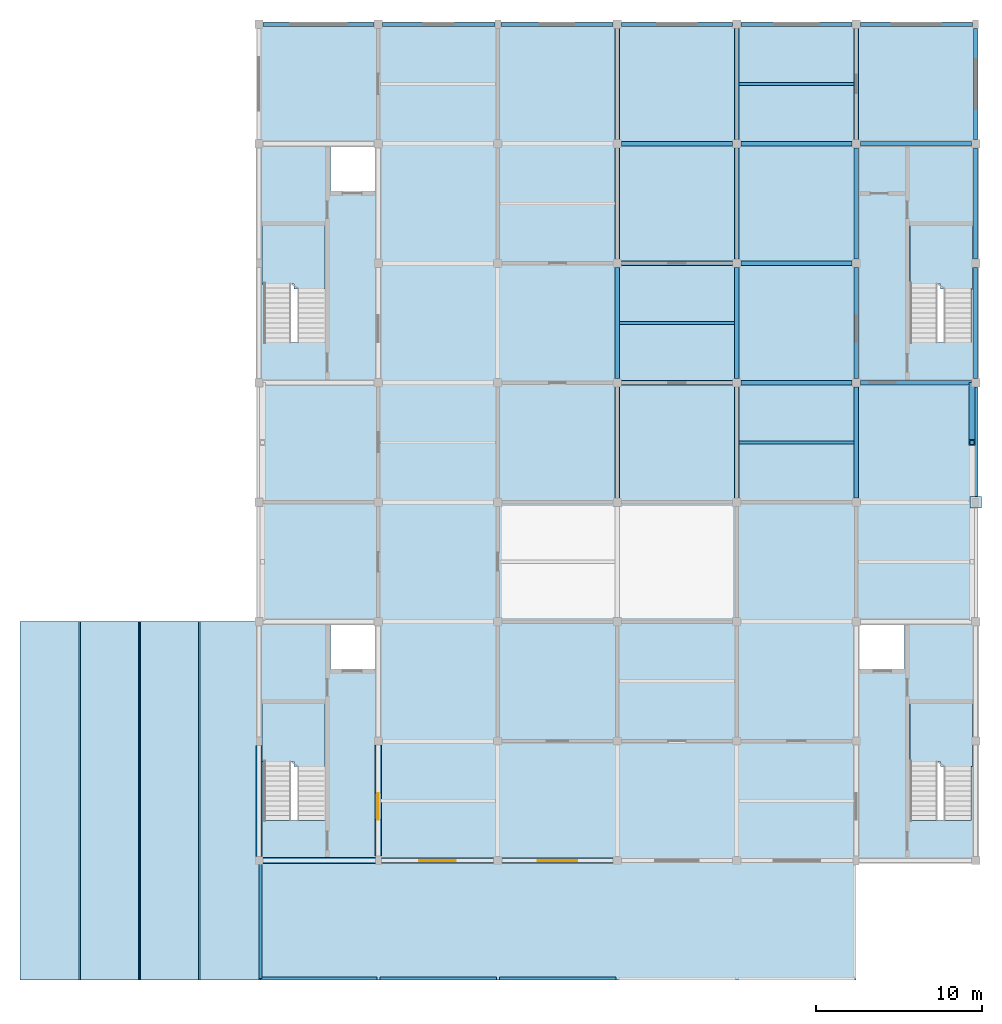
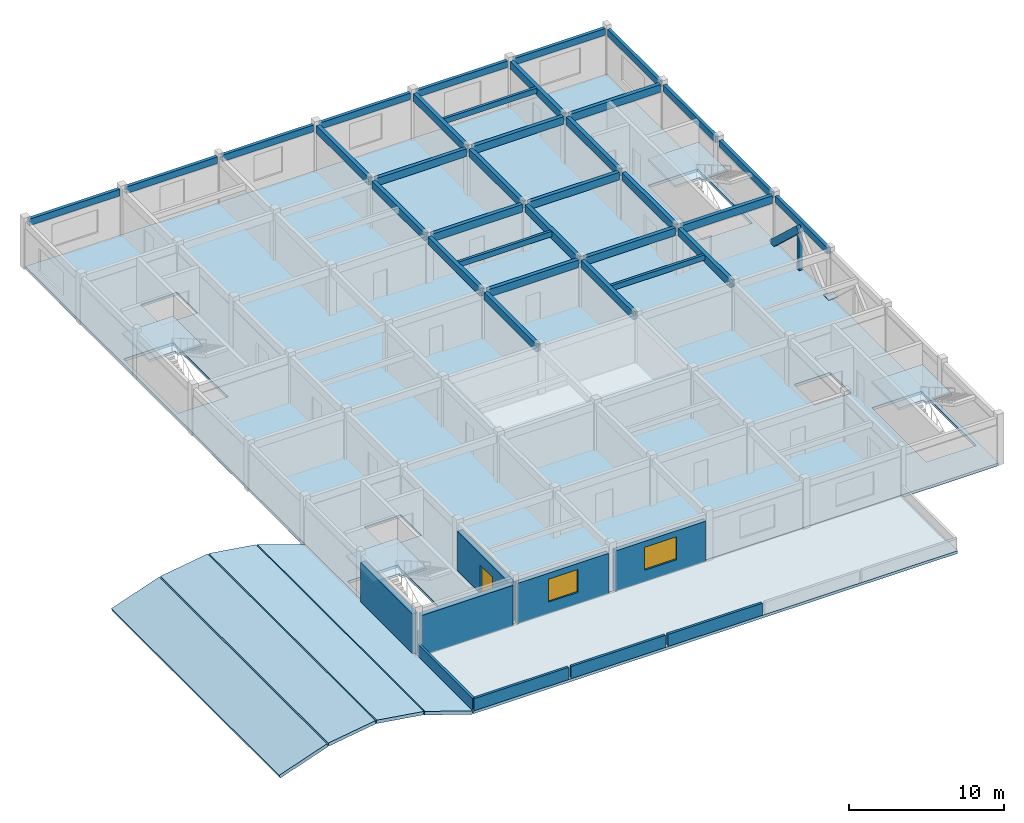
# One storey, part 2 of 6: 33 beams, 10 slabs, 9 walls, 2 members, 2 windows, 1 door, 1 plate, 3 openings, 4 elements without a shape of their own.
"""IFC4 building model written with IfcOpenShell, lengths in metres."""

from ifc_helpers import new_model, si_unit, direction, frame, frame_2d, origin, origin_2d, place, context, subcontext, project, spatial, polyline, rectangle, outline, extrude, material, layer, layer_set, material_profile, profile_set, type_object, element, fill, aggregate, save


model = new_model("IFC4")

# Units and contexts
model_context = context("Model", 3, precision=1e-05, world=origin(), true_north=direction((0.0, 1.0)))
body_context = subcontext(model_context, "Body", "Model", "MODEL_VIEW")
ifc_project = project(units=[si_unit("LENGTHUNIT", "METRE"), si_unit("AREAUNIT", "SQUARE_METRE"), si_unit("VOLUMEUNIT", "CUBIC_METRE"), si_unit("PLANEANGLEUNIT", "RADIAN"), si_unit("MASSUNIT", "GRAM", prefix="KILO")], contexts=[model_context])

# Site, building, storey
site_placement = place(None, origin())
site = spatial("IfcSite", under=ifc_project, at=site_placement, CompositionType="ELEMENT")
building_placement = place(site_placement, origin())
building = spatial("IfcBuilding", under=site, at=building_placement, Name="Cendaluz Park School", CompositionType="ELEMENT")
storey_placement = place(building_placement, frame((0.0, 0.0, 55.0)))
storey = spatial("IfcBuildingStorey", under=building, at=storey_placement, Name="L13", CompositionType="ELEMENT", Elevation=55.0)

# Beams
ifc_material_1 = material(Name="Glulam GL28h", Category="wood")
ifc_material_profile_1 = material_profile(ifc_material_1, rectangle(XDim=0.280029296875, YDim=0.60009765625, at=origin_2d()), Name="GL28h 280x600", Category="wood")
ifc_profile_set_1 = profile_set([ifc_material_profile_1], Name="Glulam GL28h")
beam_type_1 = type_object("IfcBeamType", Name="BM-GL02", PredefinedType="BEAM", material=ifc_profile_set_1)
for number, where, z_axis, x_axis, name in (
    (1, (86.64990234375, 43.199951171875, 3.389892578125), (1.0, 0.0, 0.0), (0.0, 1.0, 0.0), "BM-L13-BMGL02-0027"),
    (2, (86.64990234375, 50.39990234375, 3.389892578125), (1.0, 0.0, 0.0), (0.0, 1.0, 0.0), "BM-L13-BMGL02-0028"),
    (3, (86.64990234375, 57.60009765625, 3.389892578125), (1.0, 0.0, 0.0), (0.0, 1.0, 0.0), "BM-L13-BMGL02-0029"),
):
    element("IfcBeam", number, at=place(storey_placement, frame(where, z_axis=z_axis, x_axis=x_axis)), inside=storey, type_object=beam_type_1, Name=name, PredefinedType="BEAM", context=body_context, shape_type="SweptSolid", body=[
        extrude(rectangle(XDim=0.280029296875, YDim=0.60009765625, at=origin_2d()), origin(), (0.0, 0.0, 1.0), 6.7001953125),
    ])
for number, where, z_axis, x_axis, name in (
    (4, (93.85009765625, 43.199951171875, 3.389892578125), (1.0, 0.0, 0.0), (0.0, 1.0, 0.0), "BM-L13-BMGL02-0035"),
    (5, (93.85009765625, 50.39990234375, 3.389892578125), (1.0, 0.0, 0.0), (0.0, 1.0, 0.0), "BM-L13-BMGL02-0036"),
    (6, (93.85009765625, 57.60009765625, 3.389892578125), (1.0, 0.0, 0.0), (0.0, 1.0, 0.0), "BM-L13-BMGL02-0037"),
    (7, (101.050048828125, 43.199951171875, 3.389892578125), (1.0, 0.0, 0.0), (0.0, 1.0, 0.0), "BM-L13-BMGL02-0042"),
    (8, (101.050048828125, 57.60009765625, 3.389892578125), (1.0, 0.0, 0.0), (0.0, 1.0, 0.0), "BM-L13-BMGL02-0043"),
    (9, (86.39990234375, 36.25, 3.389892578125), (0.0, 1.0, 0.0), (-1.0, 0.0, 0.0), "BM-L13-BMGL02-0069"),
    (10, (86.39990234375, 43.449951171875, 3.389892578125), (0.0, 1.0, 0.0), (-1.0, 0.0, 0.0), "BM-L13-BMGL02-0070"),
):
    element("IfcBeam", number, at=place(storey_placement, frame(where, z_axis=z_axis, x_axis=x_axis)), inside=storey, type_object=beam_type_1, Name=name, PredefinedType="BEAM", context=body_context, shape_type="SweptSolid", body=[
        extrude(rectangle(XDim=0.280029296875, YDim=0.60009765625, at=origin_2d()), origin(), (0.0, 0.0, 1.0), 6.699951171875),
    ])
beam_1_placement = place(storey_placement, frame((86.39990234375, 50.64990234375, 3.389892578125), z_axis=(0.0, 1.0, 0.0), x_axis=(-1.0, 0.0, 0.0)))
element("IfcBeam", 11, at=beam_1_placement, inside=storey, type_object=beam_type_1, Name="BM-L13-BMGL02-0071", PredefinedType="BEAM", context=body_context, shape_type="SweptSolid", body=[
    extrude(rectangle(XDim=0.280029296875, YDim=0.60009765625, at=origin_2d()), origin(), (0.0, 0.0, 1.0), 6.7001953125),
])
for number, where, z_axis, x_axis, name in (
    (12, (86.39990234375, 57.85009765625, 3.389892578125), (0.0, 1.0, 0.0), (-1.0, 0.0, 0.0), "BM-L13-BMGL02-0072"),
    (13, (93.60009765625, 36.25, 3.389892578125), (0.0, 1.0, 0.0), (-1.0, 0.0, 0.0), "BM-L13-BMGL02-0076"),
    (14, (93.60009765625, 43.449951171875, 3.389892578125), (0.0, 1.0, 0.0), (-1.0, 0.0, 0.0), "BM-L13-BMGL02-0077"),
):
    element("IfcBeam", number, at=place(storey_placement, frame(where, z_axis=z_axis, x_axis=x_axis)), inside=storey, type_object=beam_type_1, Name=name, PredefinedType="BEAM", context=body_context, shape_type="SweptSolid", body=[
        extrude(rectangle(XDim=0.280029296875, YDim=0.60009765625, at=origin_2d()), origin(), (0.0, 0.0, 1.0), 6.699951171875),
    ])
beam_2_placement = place(storey_placement, frame((93.60009765625, 50.64990234375, 3.389892578125), z_axis=(0.0, 1.0, 0.0), x_axis=(-1.0, 0.0, 0.0)))
element("IfcBeam", 15, at=beam_2_placement, inside=storey, type_object=beam_type_1, Name="BM-L13-BMGL02-0078", PredefinedType="BEAM", context=body_context, shape_type="SweptSolid", body=[
    extrude(rectangle(XDim=0.280029296875, YDim=0.60009765625, at=origin_2d()), origin(), (0.0, 0.0, 1.0), 6.7001953125),
])
for number, where, z_axis, x_axis, name in (
    (16, (93.60009765625, 57.85009765625, 3.389892578125), (0.0, 1.0, 0.0), (-1.0, 0.0, 0.0), "BM-L13-BMGL02-0079"),
    (17, (100.800048828125, 36.25, 3.389892578125), (0.0, 1.0, 0.0), (-1.0, 0.0, 0.0), "BM-L13-BMGL02-0083"),
    (18, (100.800048828125, 43.449951171875, 3.389892578125), (0.0, 1.0, 0.0), (-1.0, 0.0, 0.0), "BM-L13-BMGL02-0084"),
):
    element("IfcBeam", number, at=place(storey_placement, frame(where, z_axis=z_axis, x_axis=x_axis)), inside=storey, type_object=beam_type_1, Name=name, PredefinedType="BEAM", context=body_context, shape_type="SweptSolid", body=[
        extrude(rectangle(XDim=0.280029296875, YDim=0.60009765625, at=origin_2d()), origin(), (0.0, 0.0, 1.0), 6.699951171875),
    ])
beam_3_placement = place(storey_placement, frame((100.800048828125, 50.64990234375, 3.389892578125), z_axis=(0.0, 1.0, 0.0), x_axis=(-1.0, 0.0, 0.0)))
element("IfcBeam", 19, at=beam_3_placement, inside=storey, type_object=beam_type_1, Name="BM-L13-BMGL02-0085", PredefinedType="BEAM", context=body_context, shape_type="SweptSolid", body=[
    extrude(rectangle(XDim=0.280029296875, YDim=0.60009765625, at=origin_2d()), origin(), (0.0, 0.0, 1.0), 6.7001953125),
])
beam_4_placement = place(storey_placement, frame((100.800048828125, 57.85009765625, 3.389892578125), z_axis=(0.0, 1.0, 0.0), x_axis=(-1.0, 0.0, 0.0)))
element("IfcBeam", 20, at=beam_4_placement, inside=storey, type_object=beam_type_1, Name="BM-L13-BMGL02-0086", PredefinedType="BEAM", context=body_context, shape_type="SweptSolid", body=[
    extrude(rectangle(XDim=0.280029296875, YDim=0.60009765625, at=origin_2d()), origin(), (0.0, 0.0, 1.0), 6.699951171875),
])
ifc_material_profile_2 = material_profile(ifc_material_1, rectangle(XDim=0.239990234375, YDim=0.52001953125, at=origin_2d()), Name="GL28h 240x520", Category="wood")
ifc_profile_set_2 = profile_set([ifc_material_profile_2], Name="Glulam GL28h")
beam_type_2 = type_object("IfcBeamType", Name="BM-GL03", PredefinedType="SPANDREL", material=ifc_profile_set_2)
beam_5_placement = place(storey_placement, frame((65.050048828125, 64.800048828125, 3.429931640625), z_axis=(1.0, 0.0, 0.0), x_axis=(0.0, 1.0, 0.0)))
element("IfcBeam", 21, at=beam_5_placement, inside=storey, type_object=beam_type_2, Name="BM-L13-BMGL03-0006", PredefinedType="SPANDREL", context=body_context, shape_type="SweptSolid", body=[
    extrude(rectangle(XDim=0.239990234375, YDim=0.52001953125, at=origin_2d()), origin(), (0.0, 0.0, 1.0), 6.699951171875),
])
for number, where, z_axis, x_axis, name in (
    (22, (72.25, 64.800048828125, 3.429931640625), (1.0, 0.0, 0.0), (0.0, 1.0, 0.0), "BM-L13-BMGL03-0014"),
    (23, (79.3798828125, 64.800048828125, 3.429931640625), (1.0, 0.0, 0.0), (0.0, 1.0, 0.0), "BM-L13-BMGL03-0022"),
):
    element("IfcBeam", number, at=place(storey_placement, frame(where, z_axis=z_axis, x_axis=x_axis)), inside=storey, type_object=beam_type_2, Name=name, PredefinedType="SPANDREL", context=body_context, shape_type="SweptSolid", body=[
        extrude(rectangle(XDim=0.239990234375, YDim=0.52001953125, at=origin_2d()), origin(), (0.0, 0.0, 1.0), 6.77001953125),
    ])
beam_6_placement = place(storey_placement, frame((86.64990234375, 64.800048828125, 3.429931640625), z_axis=(1.0, 0.0, 0.0), x_axis=(0.0, 1.0, 0.0)))
element("IfcBeam", 24, at=beam_6_placement, inside=storey, type_object=beam_type_2, Name="BM-L13-BMGL03-0030", PredefinedType="SPANDREL", context=body_context, shape_type="SweptSolid", body=[
    extrude(rectangle(XDim=0.239990234375, YDim=0.52001953125, at=origin_2d()), origin(), (0.0, 0.0, 1.0), 6.7001953125),
])
beam_7_placement = place(storey_placement, frame((93.85009765625, 64.800048828125, 3.429931640625), z_axis=(1.0, 0.0, 0.0), x_axis=(0.0, 1.0, 0.0)))
element("IfcBeam", 25, at=beam_7_placement, inside=storey, type_object=beam_type_2, Name="BM-L13-BMGL03-0038", PredefinedType="SPANDREL", context=body_context, shape_type="SweptSolid", body=[
    extrude(rectangle(XDim=0.239990234375, YDim=0.52001953125, at=origin_2d()), origin(), (0.0, 0.0, 1.0), 6.699951171875),
])
beam_8_placement = place(storey_placement, frame((101.050048828125, 64.800048828125, 3.429931640625), z_axis=(1.0, 0.0, 0.0), x_axis=(0.0, 1.0, 0.0)))
element("IfcBeam", 26, at=beam_8_placement, inside=storey, type_object=beam_type_2, Name="BM-L13-BMGL03-0044", PredefinedType="SPANDREL", context=body_context, shape_type="SweptSolid", body=[
    extrude(rectangle(XDim=0.239990234375, YDim=0.52001953125, at=origin_2d()), origin(), (0.0, 0.0, 1.0), 6.77001953125),
])
beam_9_placement = place(storey_placement, frame((108.0, 36.260009765625, 3.429931640625), z_axis=(0.0, 1.0, 0.0), x_axis=(-1.0, 0.0, 0.0)))
element("IfcBeam", 27, at=beam_9_placement, inside=storey, type_object=beam_type_2, Name="BM-L13-BMGL03-0090", PredefinedType="SPANDREL", context=body_context, shape_type="SweptSolid", body=[
    extrude(rectangle(XDim=0.239990234375, YDim=0.52001953125, at=origin_2d()), origin(), (0.0, 0.0, 1.0), 6.68994140625),
])
beam_10_placement = place(storey_placement, frame((108.0, 43.449951171875, 3.429931640625), z_axis=(0.0, 1.0, 0.0), x_axis=(-1.0, 0.0, 0.0)))
element("IfcBeam", 28, at=beam_10_placement, inside=storey, type_object=beam_type_2, Name="BM-L13-BMGL03-0091", PredefinedType="SPANDREL", context=body_context, shape_type="SweptSolid", body=[
    extrude(rectangle(XDim=0.239990234375, YDim=0.52001953125, at=origin_2d()), origin(), (0.0, 0.0, 1.0), 6.699951171875),
])
beam_11_placement = place(storey_placement, frame((108.0, 50.64990234375, 3.429931640625), z_axis=(0.0, 1.0, 0.0), x_axis=(-1.0, 0.0, 0.0)))
element("IfcBeam", 29, at=beam_11_placement, inside=storey, type_object=beam_type_2, Name="BM-L13-BMGL03-0092", PredefinedType="SPANDREL", context=body_context, shape_type="SweptSolid", body=[
    extrude(rectangle(XDim=0.239990234375, YDim=0.52001953125, at=origin_2d()), origin(), (0.0, 0.0, 1.0), 6.7001953125),
])
beam_12_placement = place(storey_placement, frame((108.0, 57.85009765625, 3.429931640625), z_axis=(0.0, 1.0, 0.0), x_axis=(-1.0, 0.0, 0.0)))
element("IfcBeam", 30, at=beam_12_placement, inside=storey, type_object=beam_type_2, Name="BM-L13-BMGL03-0093", PredefinedType="SPANDREL", context=body_context, shape_type="SweptSolid", body=[
    extrude(rectangle(XDim=0.239990234375, YDim=0.52001953125, at=origin_2d()), origin(), (0.0, 0.0, 1.0), 6.68994140625),
])
ifc_material_profile_3 = material_profile(ifc_material_1, rectangle(XDim=0.199951171875, YDim=0.419921875, at=origin_2d()), Name="GL28h 200x420", Category="wood")
ifc_profile_set_3 = profile_set([ifc_material_profile_3], Name="Glulam GL28h")
beam_type_3 = type_object("IfcBeamType", Name="JT-GL02", PredefinedType="JOIST", material=ifc_profile_set_3)
for number, where, z_axis, x_axis, name in (
    (31, (86.5400390625, 46.800048828125, 3.47998046875), (1.0, 0.0, 0.0), (0.0, 1.0, 0.0), "BM-L13-JTGL02-0100"),
    (32, (93.739990234375, 39.60009765625, 3.47998046875), (1.0, 0.0, 0.0), (0.0, 1.0, 0.0), "BM-L13-JTGL02-0102"),
    (33, (93.739990234375, 61.199951171875, 3.47998046875), (1.0, 0.0, 0.0), (0.0, 1.0, 0.0), "BM-L13-JTGL02-0103"),
):
    element("IfcBeam", number, at=place(storey_placement, frame(where, z_axis=z_axis, x_axis=x_axis)), inside=storey, type_object=beam_type_3, Name=name, PredefinedType="JOIST", context=body_context, shape_type="SweptSolid", body=[
        extrude(rectangle(XDim=0.199951171875, YDim=0.419921875, at=origin_2d()), origin(), (0.0, 0.0, 1.0), 6.919921875),
    ])

# Members
ifc_material_2 = material(Name="Glulam GL32h", Category="wood")
ifc_material_profile_4 = material_profile(ifc_material_2, rectangle(XDim=0.360107421875, YDim=0.52001953125, at=origin_2d()), Name="GL32h 360x520", Category="wood")
ifc_profile_set_4 = profile_set([ifc_material_profile_4], Name="Glulam GL32h")
member_type_1 = type_object("IfcMemberType", Name="MBR-04", PredefinedType="BRACE", material=ifc_profile_set_4)
member_1_placement = place(storey_placement, frame((107.780029296875, 43.02001953125, 0.0), z_axis=(0.0, -0.731267023111, 0.682091299541), x_axis=(1.0, 0.0, 0.0)))
element("IfcMember", 34, at=member_1_placement, inside=storey, type_object=member_type_1, Name="MB-L13-MBBR04-0011", PredefinedType="BRACE", context=body_context, shape_type="SweptSolid", body=[
    extrude(rectangle(XDim=0.360107421875, YDim=0.52001953125, at=origin_2d()), origin(), (0.0, 0.0, 1.0), 4.6767578125),
])
ifc_material_profile_5 = material_profile(ifc_material_2, rectangle(XDim=0.260009765625, YDim=0.260009765625, at=origin_2d()), Name="GL32h 260x260", Category="wood")
ifc_profile_set_5 = profile_set([ifc_material_profile_5], Name="Glulam GL32h")
member_type_2 = type_object("IfcMemberType", Name="MST-03", PredefinedType="STRUT", material=ifc_profile_set_5)
member_2_placement = place(storey_placement, frame((107.780029296875, 39.60009765625, 0.0), z_axis=(0.0, 0.0, 1.0), x_axis=(1.0, 0.0, 0.0)))
element("IfcMember", 35, at=member_2_placement, inside=storey, type_object=member_type_2, Name="MB-L13-MBST03-0012", PredefinedType="STRUT", context=body_context, shape_type="SweptSolid", body=[
    extrude(rectangle(XDim=0.260009765625, YDim=0.260009765625, at=origin_2d()), origin(), (0.0, 0.0, 1.0), 3.18994140625),
])

# Plate
ifc_material_3 = material(Name="Steel S355", Category="steel")
ifc_layer_1 = layer(ifc_material_3, 0.030029296875)
ifc_layer_set_1 = layer_set([ifc_layer_1], Name="Steel S355")
plate_type = type_object("IfcPlateType", Name="GP-02", PredefinedType="SHEET", material=ifc_layer_set_1)
plate_placement = place(storey_placement, frame((108.0, 36.0, 0.0), z_axis=(0.0, 0.0, 1.0), x_axis=(1.0, 0.0, 0.0)))
element("IfcPlate", 36, at=plate_placement, inside=storey, type_object=plate_type, Name="GP-L13-BF01", PredefinedType="SHEET", context=body_context, shape_type="SweptSolid", body=[
    extrude(rectangle(XDim=0.699951171875, YDim=0.699951171875, at=origin_2d()), origin(), (0.0, 0.0, 1.0), 0.030029296875),
])

# Slab
ifc_material_4 = material(Name="Cross-laminated timber CLT C24", Category="wood")
ifc_layer_2 = layer(ifc_material_4, 0.219970703125)
ifc_layer_set_2 = layer_set([ifc_layer_2], Name="Cross-laminated timber CLT C24")
slab_type_1 = type_object("IfcSlabType", Name="SL-FL-220", PredefinedType="FLOOR", material=ifc_layer_set_2)
slab_1_placement = place(storey_placement, frame((0.0, 0.0, -0.219970703125)))
element("IfcSlab", 37, at=slab_1_placement, inside=storey, type_object=slab_type_1, Name="SL-L13-01", PredefinedType="FLOOR", context=body_context, shape_type="SweptSolid", body=[
    extrude(outline(polyline([(108.0, 64.800048828125), (108.0, 14.39990234375), (64.800048828125, 14.39990234375), (64.800048828125, 64.800048828125), (108.0, 64.800048828125)]), holes=[polyline([(65.080078125, 16.820068359375), (68.77001953125, 16.820068359375), (68.77001953125, 23.840087890625), (65.080078125, 23.840087890625), (65.080078125, 16.820068359375)]), polyline([(69.10009765625, 28.60009765625), (69.10009765625, 25.93994140625), (71.800048828125, 25.93994140625), (71.800048828125, 28.60009765625), (69.10009765625, 28.60009765625)]), polyline([(107.719970703125, 23.840087890625), (104.030029296875, 23.840087890625), (104.030029296875, 16.820068359375), (107.719970703125, 16.820068359375), (107.719970703125, 23.840087890625)]), polyline([(103.699951171875, 25.93994140625), (103.699951171875, 28.60009765625), (101.0, 28.60009765625), (101.0, 25.93994140625), (103.699951171875, 25.93994140625)]), polyline([(65.080078125, 45.6201171875), (68.77001953125, 45.6201171875), (68.77001953125, 52.639892578125), (65.080078125, 52.639892578125), (65.080078125, 45.6201171875)]), polyline([(69.10009765625, 57.39990234375), (69.10009765625, 54.739990234375), (71.800048828125, 54.739990234375), (71.800048828125, 57.39990234375), (69.10009765625, 57.39990234375)]), polyline([(107.719970703125, 52.639892578125), (104.030029296875, 52.639892578125), (104.030029296875, 45.6201171875), (107.719970703125, 45.6201171875), (107.719970703125, 52.639892578125)])]), origin(), (0.0, 0.0, 1.0), 0.219970703125),
])

# Stair, slab
stair_type = type_object("IfcStairType", Name="ST-400-165", PredefinedType="HALF_TURN_STAIR", material=ifc_material_4)
stair_1_placement = place(storey_placement, origin())
stair_1 = element("IfcStair", 38, at=stair_1_placement, inside=storey, type_object=stair_type, Name="ST-L13-C1", PredefinedType="HALF_TURN_STAIR")
ifc_layer_3 = layer(ifc_material_4, 0.179931640625)
ifc_layer_set_3 = layer_set([ifc_layer_3], Name="Cross-laminated timber CLT C24")
slab_type_2 = type_object("IfcSlabType", Name="SL-LD-180", PredefinedType="LANDING", material=ifc_layer_set_3)
slab_2_placement = place(storey_placement, frame((0.0, 0.0, 1.89990234375)))
slab_2 = element("IfcSlab", 39, at=slab_2_placement, type_object=slab_type_2, Name="SL-LD-L13-C1", PredefinedType="LANDING", context=body_context, shape_type="SweptSolid", body=[
    extrude(outline(polyline([(64.989990234375, 20.360107421875), (66.925048828125, 20.360107421875), (66.925048828125, 20.06005859375), (68.77001953125, 20.06005859375), (68.77001953125, 23.860107421875), (64.989990234375, 23.860107421875), (64.989990234375, 20.360107421875)])), origin(), (0.0, 0.0, 1.0), 0.18017578125),
])
aggregate(stair_1, [slab_2])

stair_2_placement = place(storey_placement, origin())
stair_2 = element("IfcStair", 40, at=stair_2_placement, inside=storey, type_object=stair_type, Name="ST-L13-C2", PredefinedType="HALF_TURN_STAIR")
slab_3_placement = place(storey_placement, frame((0.0, 0.0, 1.89990234375)))
slab_3 = element("IfcSlab", 41, at=slab_3_placement, type_object=slab_type_2, Name="SL-LD-L13-C2", PredefinedType="LANDING", context=body_context, shape_type="SweptSolid", body=[
    extrude(outline(polyline([(104.030029296875, 20.360107421875), (105.875, 20.360107421875), (105.875, 20.06005859375), (107.81005859375, 20.06005859375), (107.81005859375, 23.860107421875), (104.030029296875, 23.860107421875), (104.030029296875, 20.360107421875)])), origin(), (0.0, 0.0, 1.0), 0.18017578125),
])
aggregate(stair_2, [slab_3])

stair_3_placement = place(storey_placement, origin())
stair_3 = element("IfcStair", 42, at=stair_3_placement, inside=storey, type_object=stair_type, Name="ST-L13-C3", PredefinedType="HALF_TURN_STAIR")
slab_4_placement = place(storey_placement, frame((0.0, 0.0, 1.89990234375)))
slab_4 = element("IfcSlab", 43, at=slab_4_placement, type_object=slab_type_2, Name="SL-LD-L13-C3", PredefinedType="LANDING", context=body_context, shape_type="SweptSolid", body=[
    extrude(outline(polyline([(64.989990234375, 49.159912109375), (66.925048828125, 49.159912109375), (66.925048828125, 48.860107421875), (68.77001953125, 48.860107421875), (68.77001953125, 52.659912109375), (64.989990234375, 52.659912109375), (64.989990234375, 49.159912109375)])), origin(), (0.0, 0.0, 1.0), 0.18017578125),
])
aggregate(stair_3, [slab_4])

stair_4_placement = place(storey_placement, origin())
stair_4 = element("IfcStair", 44, at=stair_4_placement, inside=storey, type_object=stair_type, Name="ST-L13-C4", PredefinedType="HALF_TURN_STAIR")
slab_5_placement = place(storey_placement, frame((0.0, 0.0, 1.89990234375)))
slab_5 = element("IfcSlab", 45, at=slab_5_placement, type_object=slab_type_2, Name="SL-LD-L13-C4", PredefinedType="LANDING", context=body_context, shape_type="SweptSolid", body=[
    extrude(outline(polyline([(104.030029296875, 49.159912109375), (105.875, 49.159912109375), (105.875, 48.860107421875), (107.81005859375, 48.860107421875), (107.81005859375, 52.659912109375), (104.030029296875, 52.659912109375), (104.030029296875, 49.159912109375)])), origin(), (0.0, 0.0, 1.0), 0.18017578125),
])
aggregate(stair_4, [slab_5])

# Slabs
ifc_layer_4 = layer(ifc_material_4, 0.219970703125)
ifc_layer_set_4 = layer_set([ifc_layer_4], Name="Cross-laminated timber CLT C24")
slab_type_3 = type_object("IfcSlabType", Name="SL-RF-220-CLT", PredefinedType="ROOF", material=ifc_layer_set_4)
slab_6_placement = place(storey_placement, frame((0.0, 0.0, -0.219970703125)))
element("IfcSlab", 46, at=slab_6_placement, inside=storey, type_object=slab_type_3, Name="SL-RF-L12-02", PredefinedType="ROOF", context=body_context, shape_type="SweptSolid", body=[
    extrude(outline(polyline([(64.800048828125, 14.39990234375), (100.800048828125, 14.39990234375), (100.800048828125, 7.199951171875), (64.800048828125, 7.199951171875), (64.800048828125, 14.39990234375)])), origin(), (0.0, 0.0, 1.0), 0.219970703125),
])
ifc_layer_5 = layer(ifc_material_4, 0.260009765625)
ifc_layer_set_5 = layer_set([ifc_layer_5], Name="Cross-laminated timber CLT C24")
slab_type_4 = type_object("IfcSlabType", Name="SL-RF-260-SLP", PredefinedType="ROOF", material=ifc_layer_set_5)
slab_7_placement = place(storey_placement, frame((50.39990234375, 7.199951171875, 0.0), z_axis=(-0.327911085287, 0.0, 0.944708590067), x_axis=(0.944708590067, 0.0, 0.327911085287)))
element("IfcSlab", 47, at=slab_7_placement, inside=storey, type_object=slab_type_4, Name="Barrel Vault Roof Slab SL-RF-L12-W1", PredefinedType="ROOF", context=body_context, shape_type="SweptSolid", body=[
    extrude(outline(polyline([(0.0, 0.0), (3.759891664448354, 0.0), (3.759891664448354, 21.60009765625), (0.0, 21.60009765625), (0.0, 0.0)])), origin(), (0.0, 0.0, -1.0), 0.260009765625),
])
slab_8_placement = place(storey_placement, frame((54.048095703125, 7.199951171875, 1.257080078125), z_axis=(-0.151182441512, 0.0, 0.98850587726), x_axis=(0.98850587726, 0.0, 0.151182441512)))
element("IfcSlab", 48, at=slab_8_placement, inside=storey, type_object=slab_type_4, Name="Barrel Vault Roof Slab SL-RF-L12-W2", PredefinedType="ROOF", context=body_context, shape_type="SweptSolid", body=[
    extrude(outline(polyline([(0.0, 0.0), (3.544648879287343, 0.0), (3.544648879287343, 21.60009765625), (0.0, 21.60009765625), (0.0, 0.0)])), origin(), (0.0, 0.0, -1.0), 0.260009765625),
])
slab_9_placement = place(storey_placement, frame((57.64794921875, 7.199951171875, 1.79296875), z_axis=(0.151172149075, 0.0, 0.988507451335), x_axis=(0.988507451335, 0.0, -0.151172149075)))
element("IfcSlab", 49, at=slab_9_placement, inside=storey, type_object=slab_type_4, Name="Barrel Vault Roof Slab SL-RF-L12-W3", PredefinedType="ROOF", context=body_context, shape_type="SweptSolid", body=[
    extrude(outline(polyline([(0.0, 0.0), (3.5448902139221876, 0.0), (3.5448902139221876, 21.60009765625), (0.0, 21.60009765625), (0.0, 0.0)])), origin(), (0.0, 0.0, -1.0), 0.260009765625),
])
slab_10_placement = place(storey_placement, frame((61.248046875, 7.199951171875, 1.23291015625), z_axis=(0.327911085287, 0.0, 0.944708590067), x_axis=(0.944708590067, 0.0, -0.327911085287)))
element("IfcSlab", 50, at=slab_10_placement, inside=storey, type_object=slab_type_4, Name="Barrel Vault Roof Slab SL-RF-L12-W4", PredefinedType="ROOF", context=body_context, shape_type="SweptSolid", body=[
    extrude(outline(polyline([(0.0, 0.0), (3.759891664448354, 0.0), (3.759891664448354, 21.60009765625), (0.0, 21.60009765625), (0.0, 0.0)])), origin(), (0.0, 0.0, -1.0), 0.260009765625),
])

# Wall, opening, window
ifc_layer_6 = layer(ifc_material_4, 0.300048828125)
ifc_layer_set_6 = layer_set([ifc_layer_6], Name="Cross-laminated timber CLT C24")
wall_type_1 = type_object("IfcWallType", Name="W-EX30", PredefinedType="SOLIDWALL", material=ifc_layer_set_6)
wall_1_placement = place(storey_placement, frame((72.179931640625, 14.39990234375, 0.0), z_axis=(0.0, 0.0, 1.0), x_axis=(1.0, 0.0, 0.0)))
wall_1 = element("IfcWall", 51, at=wall_1_placement, inside=storey, type_object=wall_type_1, Name="WL-FN-AA4", PredefinedType="SOLIDWALL", context=body_context, shape_type="SweptSolid", body=[
    extrude(rectangle(XDim=6.77001953125, YDim=0.300048828125, at=frame_2d((3.385009765625, 0.0))), origin(), (0.0, 0.0, 1.0), 3.169921875),
])
opening_1_placement = place(wall_1_placement, frame((2.284912109375, 0.0, 0.89990234375)))
opening_1 = element("IfcOpeningElement", 52, at=opening_1_placement, cuts=wall_1, Name="Opening WN-03", PredefinedType="OPENING", context=body_context, shape_type="SweptSolid", body=[
    extrude(rectangle(XDim=2.199951171875, YDim=1.800048828125, at=frame_2d((1.10009765625, 0.89990234375))), frame((0.0, 0.162109375, 0.0), z_axis=(0.0, -1.0, 0.0), x_axis=(1.0, 0.0, 0.0)), (0.0, 0.0, 1.0), 0.323974609375),
])
ifc_material_5 = material(Name="Tempered Low-E Double Glazing", Category="glass")
window_type_1 = type_object("IfcWindowType", Name="WN-03", PartitioningType="SINGLE_PANEL", PredefinedType="WINDOW", material=ifc_material_5)
window_1_placement = place(opening_1_placement, origin())
window_1 = element("IfcWindow", 53, at=window_1_placement, inside=storey, type_object=window_type_1, Name="WN-L13-003", OverallHeight=1.800048828125, OverallWidth=2.199951171875, PartitioningType="SINGLE_PANEL", PredefinedType="WINDOW", context=body_context, shape_type="SweptSolid", body=[
    extrude(rectangle(XDim=2.199951171875, YDim=1.800048828125, at=frame_2d((1.10009765625, 0.89990234375))), frame((0.0, 0.030029296875, 0.0), z_axis=(0.0, -1.0, 0.0), x_axis=(1.0, 0.0, 0.0)), (0.0, 0.0, 1.0), 0.06005859375),
])
fill(opening_1, window_1)

wall_2_placement = place(storey_placement, frame((79.449951171875, 14.39990234375, 0.0), z_axis=(0.0, 0.0, 1.0), x_axis=(1.0, 0.0, 0.0)))
wall_2 = element("IfcWall", 54, at=wall_2_placement, inside=storey, type_object=wall_type_1, Name="WL-FN-AA6", PredefinedType="SOLIDWALL", context=body_context, shape_type="SweptSolid", body=[
    extrude(rectangle(XDim=6.699951171875, YDim=0.300048828125, at=frame_2d((3.35009765625, 0.0))), origin(), (0.0, 0.0, 1.0), 3.169921875),
])
opening_2_placement = place(wall_2_placement, frame((2.14990234375, 0.0, 0.89990234375)))
opening_2 = element("IfcOpeningElement", 55, at=opening_2_placement, cuts=wall_2, Name="Opening WN-04", PredefinedType="OPENING", context=body_context, shape_type="SweptSolid", body=[
    extrude(rectangle(XDim=2.39990234375, YDim=1.800048828125, at=frame_2d((1.199951171875, 0.89990234375))), frame((0.0, 0.162109375, 0.0), z_axis=(0.0, -1.0, 0.0), x_axis=(1.0, 0.0, 0.0)), (0.0, 0.0, 1.0), 0.323974609375),
])
window_type_2 = type_object("IfcWindowType", Name="WN-04", PartitioningType="SINGLE_PANEL", PredefinedType="WINDOW", material=ifc_material_5)
window_2_placement = place(opening_2_placement, origin())
window_2 = element("IfcWindow", 56, at=window_2_placement, inside=storey, type_object=window_type_2, Name="WN-L13-005", OverallHeight=1.800048828125, OverallWidth=2.39990234375, PartitioningType="SINGLE_PANEL", PredefinedType="WINDOW", context=body_context, shape_type="SweptSolid", body=[
    extrude(rectangle(XDim=2.39990234375, YDim=1.800048828125, at=frame_2d((1.199951171875, 0.89990234375))), frame((0.0, 0.030029296875, 0.0), z_axis=(0.0, -1.0, 0.0), x_axis=(1.0, 0.0, 0.0)), (0.0, 0.0, 1.0), 0.06005859375),
])
fill(opening_2, window_2)

# Walls
ifc_material_6 = material(Name="Concrete C40/50 precast", Category="concrete")
ifc_layer_7 = layer(ifc_material_6, 0.179931640625)
ifc_layer_set_7 = layer_set([ifc_layer_7], Name="Concrete C40/50 precast")
wall_type_2 = type_object("IfcWallType", Name="W-PR18", PredefinedType="PARAPET", material=ifc_layer_set_7)
for number, where, z_axis, x_axis, name in (
    (57, (64.889892578125, 7.2900390625, 0.0), (0.0, 0.0, 1.0), (1.0, 0.0, 0.0), "WL-FN-AB6"),
    (58, (64.889892578125, 7.2900390625, 0.0), (0.0, 0.0, 1.0), (0.0, 1.0, 0.0), "WL-FN-AB7"),
    (59, (72.090087890625, 7.2900390625, 0.0), (0.0, 0.0, 1.0), (1.0, 0.0, 0.0), "WL-FN-AB8"),
    (60, (79.2900390625, 7.2900390625, 0.0), (0.0, 0.0, 1.0), (1.0, 0.0, 0.0), "WL-FN-AB9"),
):
    element("IfcWall", number, at=place(storey_placement, frame(where, z_axis=z_axis, x_axis=x_axis)), inside=storey, type_object=wall_type_2, Name=name, PredefinedType="PARAPET", context=body_context, shape_type="SweptSolid", body=[
        extrude(rectangle(XDim=7.02001953125, YDim=0.179931640625, at=frame_2d((3.510009765625, 0.0))), origin(), (0.0, 0.0, 1.0), 0.949951171875),
    ])
ifc_material_7 = material(Name="Concrete C40/50", Category="concrete")
ifc_layer_8 = layer(ifc_material_7, 0.3798828125)
ifc_layer_set_8 = layer_set([ifc_layer_8], Name="Concrete C40/50")
wall_type_3 = type_object("IfcWallType", Name="W-SH38", PredefinedType="SHEAR", material=ifc_layer_set_8)
wall_3_placement = place(storey_placement, frame((64.800048828125, 14.64990234375, 0.0), z_axis=(0.0, 0.0, 1.0), x_axis=(0.0, 1.0, 0.0)))
element("IfcWall", 61, at=wall_3_placement, inside=storey, type_object=wall_type_3, Name="WL-FN-BG3", PredefinedType="SHEAR", context=body_context, shape_type="SweptSolid", body=[
    extrude(rectangle(XDim=6.690185546875, YDim=0.3798828125, at=frame_2d((3.34521484375, 0.0))), origin(), (0.0, 0.0, 1.0), 3.169921875),
])

# Wall, opening, door
wall_4_placement = place(storey_placement, frame((72.0, 14.659912109375, 0.0), z_axis=(0.0, 0.0, 1.0), x_axis=(0.0, 1.0, 0.0)))
wall_4 = element("IfcWall", 62, at=wall_4_placement, inside=storey, type_object=wall_type_3, Name="WL-FN-BG5", PredefinedType="SHEAR", context=body_context, shape_type="SweptSolid", body=[
    extrude(rectangle(XDim=6.690185546875, YDim=0.3798828125, at=frame_2d((3.34521484375, 0.0))), origin(), (0.0, 0.0, 1.0), 3.090087890625),
])
opening_3_placement = place(wall_4_placement, frame((2.199951171875, 0.0, 0.0)))
opening_3 = element("IfcOpeningElement", 63, at=opening_3_placement, cuts=wall_4, Name="Opening DLB-01", PredefinedType="OPENING", context=body_context, shape_type="SweptSolid", body=[
    extrude(rectangle(XDim=1.60009765625, YDim=2.199951171875, at=frame_2d((0.800048828125, 1.10009765625))), frame((0.0, 0.201904296875, 0.0), z_axis=(0.0, -1.0, 0.0), x_axis=(1.0, 0.0, 0.0)), (0.0, 0.0, 1.0), 0.40380859375),
])
ifc_material_8 = material(Name="Solid Core Hardwood", Category="wood")
door_type = type_object("IfcDoorType", Name="DLB-01", OperationType="DOUBLE_DOOR_SINGLE_SWING", PredefinedType="DOOR", material=ifc_material_8)
door_placement = place(opening_3_placement, origin())
door = element("IfcDoor", 64, at=door_placement, inside=storey, type_object=door_type, Name="D-L13-001", OperationType="DOUBLE_DOOR_SINGLE_SWING", OverallHeight=2.199951171875, OverallWidth=1.60009765625, PredefinedType="DOOR", context=body_context, shape_type="SweptSolid", body=[
    extrude(rectangle(XDim=1.60009765625, YDim=2.199951171875, at=frame_2d((0.800048828125, 1.10009765625))), frame((0.0, 0.02490234375, 0.0), z_axis=(0.0, -1.0, 0.0), x_axis=(1.0, 0.0, 0.0)), (0.0, 0.0, 1.0), 0.050048828125),
])
fill(opening_3, door)

# Wall
wall_5_placement = place(storey_placement, frame((65.050048828125, 14.39990234375, 0.0), z_axis=(0.0, 0.0, 1.0), x_axis=(1.0, 0.0, 0.0)))
element("IfcWall", 65, at=wall_5_placement, inside=storey, type_object=wall_type_3, Name="WL-FN-BG7", PredefinedType="SHEAR", context=body_context, shape_type="SweptSolid", body=[
    extrude(rectangle(XDim=6.77001953125, YDim=0.3798828125, at=frame_2d((3.385009765625, 0.0))), origin(), (0.0, 0.0, 1.0), 3.169921875),
])

save(model, "model.ifc")
